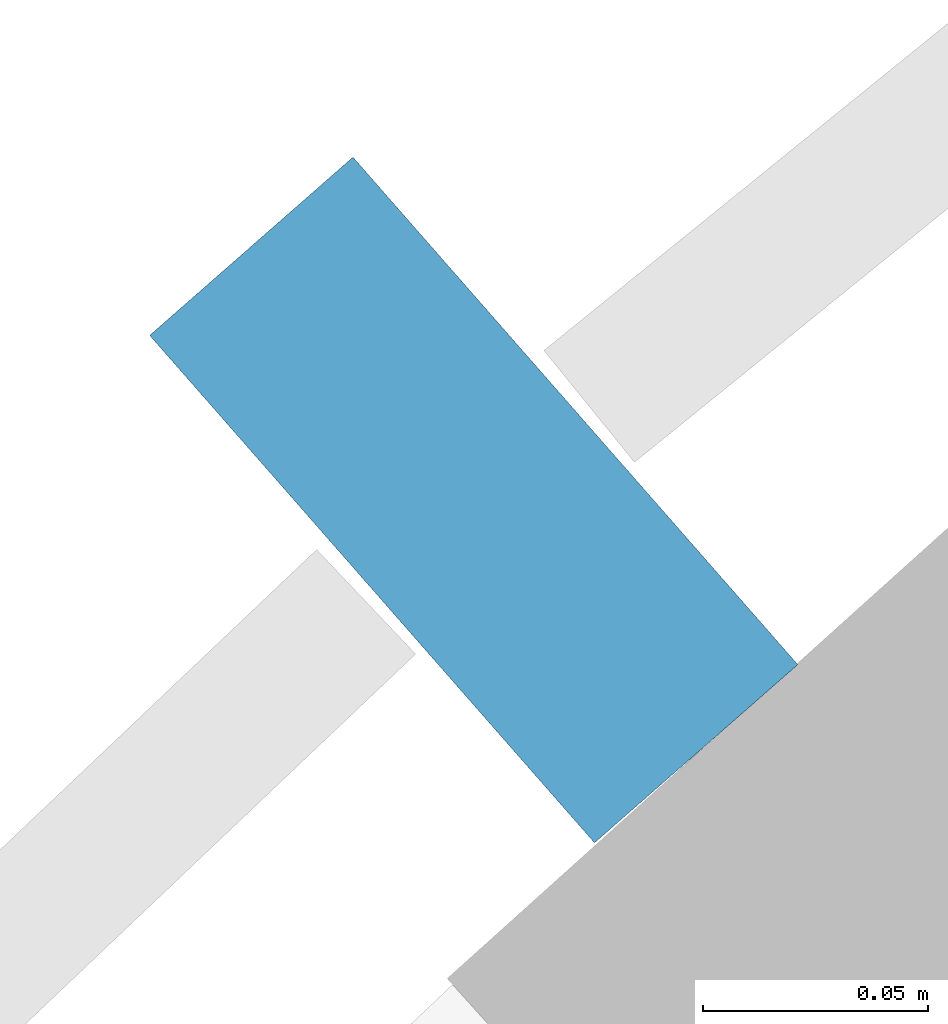
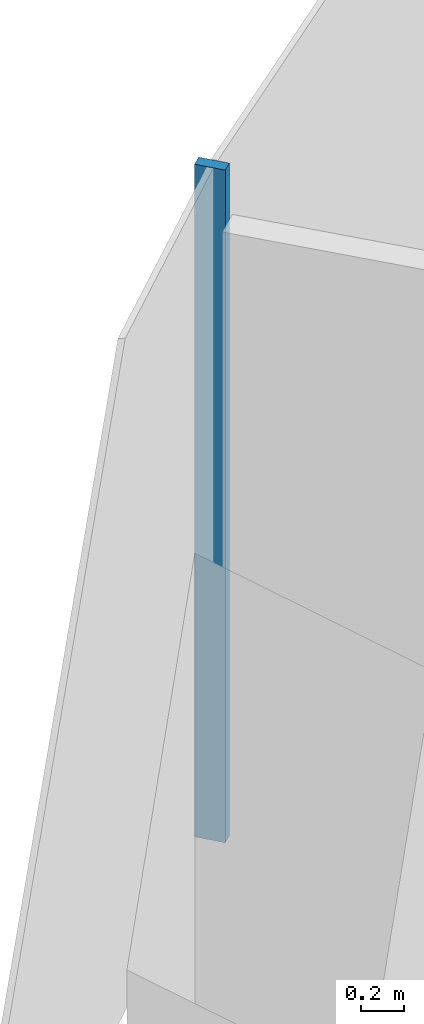
# One storey, part 4 of 21: 1 member, 1 element without a shape of its own.
"""IFC4 building model written with IfcOpenShell, lengths in metres."""

from ifc_helpers import new_model, si_unit, direction, frame, origin, origin_2d, place, context, subcontext, project, spatial, rectangle, extrude, material, layer, layer_set, material_profile, profile_set, type_object, element, aggregate, save


model = new_model("IFC4")

# Units and contexts
model_context = context("Model", 3, precision=1e-05, world=origin(), true_north=direction((0.0, 1.0)))
body_context = subcontext(model_context, "Body", "Model", "MODEL_VIEW")
ifc_project = project(units=[si_unit("LENGTHUNIT", "METRE"), si_unit("AREAUNIT", "SQUARE_METRE"), si_unit("VOLUMEUNIT", "CUBIC_METRE"), si_unit("PLANEANGLEUNIT", "RADIAN"), si_unit("MASSUNIT", "GRAM", prefix="KILO")], contexts=[model_context])

# Site, building, storey
site_placement = place(None, origin())
site = spatial("IfcSite", under=ifc_project, at=site_placement, CompositionType="ELEMENT")
building_placement = place(site_placement, origin())
building = spatial("IfcBuilding", under=site, at=building_placement, Name="Stone Belt Terrace Tower", CompositionType="ELEMENT")
storey_placement = place(building_placement, frame((0.0, 0.0, 94.60009765625)))
storey = spatial("IfcBuildingStorey", under=building, at=storey_placement, Name="L22", CompositionType="ELEMENT", Elevation=94.60009765625)

# Curtain wall, member
ifc_material = material(Name="Aluminium 6063-T6 anodised frame", Category="aluminium")
ifc_layer = layer(ifc_material, 0.14990234375)
ifc_layer_set = layer_set([ifc_layer], Name="CW-A unitised convex-face curtain wall")
curtain_wall_type = type_object("IfcCurtainWallType", Name="CW-A unitised convex-face curtain wall", PredefinedType="NOTDEFINED", material=ifc_layer_set)
curtain_wall_placement = place(storey_placement, origin())
curtain_wall = element("IfcCurtainWall", 1, at=curtain_wall_placement, inside=storey, type_object=curtain_wall_type, Name="CW-A convex face L22", PredefinedType="NOTDEFINED")
ifc_material_profile = material_profile(ifc_material, rectangle(XDim=0.14990234375, YDim=0.06005859375, at=origin_2d()), Name="Aluminium 6063-T6 60x150")
ifc_profile_set = profile_set([ifc_material_profile], Name="Aluminium 6063-T6 anodised frame")
member_type = type_object("IfcMemberType", Name="CW-A mullion 60 x 150", PredefinedType="MULLION", material=ifc_profile_set)
member_placement = place(storey_placement, frame((-44.546630859375, 49.4755859375, 0.0), z_axis=(0.0, 0.0, 1.0), x_axis=(0.659207369679, -0.751961198308, 0.0)))
member = element("IfcMember", 2, at=member_placement, type_object=member_type, Name="CW-A mullion 17", PredefinedType="MULLION", context=body_context, shape_type="SweptSolid", body=[
    extrude(rectangle(XDim=0.14990234375, YDim=0.06005859375, at=origin_2d()), origin(), (0.0, 0.0, 1.0), 3.7998046875),
])
aggregate(curtain_wall, [member])

save(model, "model.ifc")
